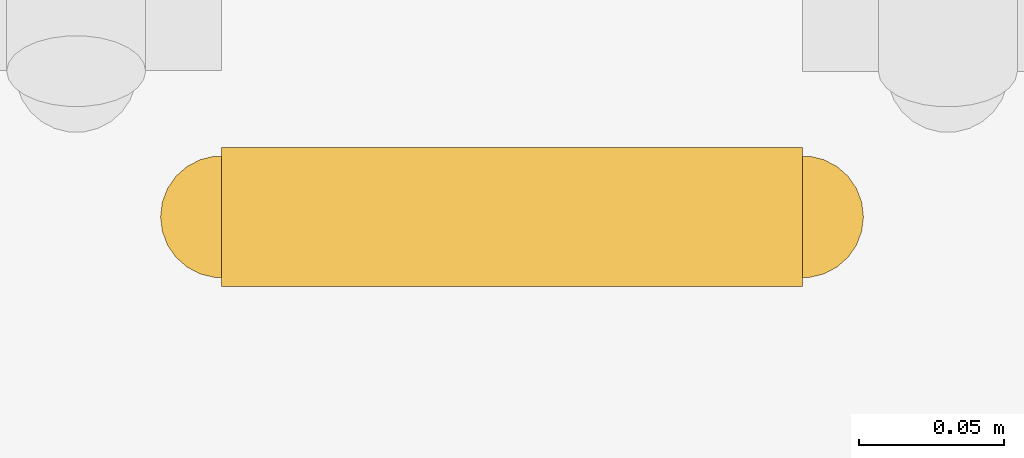
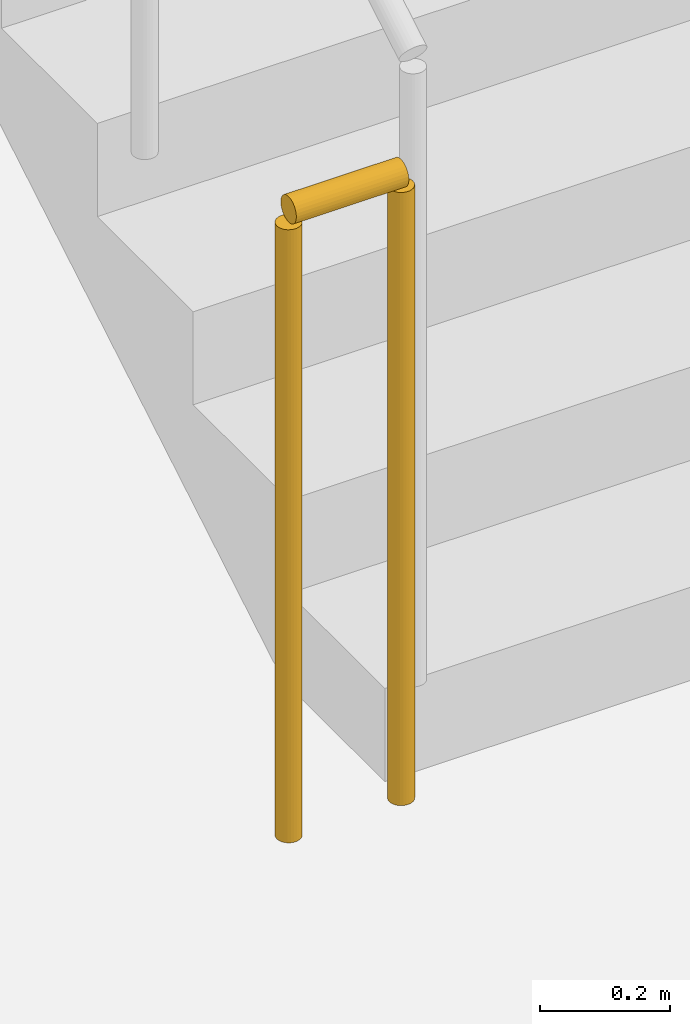
# One storey, part 30 of 33: 1 railing.
"""IFC4 building model written with IfcOpenShell, lengths in metres."""

from ifc_helpers import new_model, si_unit, direction, frame, origin, origin_2d, place, context, subcontext, project, spatial, circle, extrude, material, layer, layer_set, type_object, element, save


model = new_model("IFC4")

# Units and contexts
model_context = context("Model", 3, precision=1e-05, world=origin(), true_north=direction((0.0, 1.0)))
body_context = subcontext(model_context, "Body", "Model", "MODEL_VIEW")
ifc_project = project(units=[si_unit("LENGTHUNIT", "METRE"), si_unit("AREAUNIT", "SQUARE_METRE"), si_unit("VOLUMEUNIT", "CUBIC_METRE"), si_unit("PLANEANGLEUNIT", "RADIAN"), si_unit("MASSUNIT", "GRAM", prefix="KILO")], contexts=[model_context])

# Site, building, storey
site_placement = place(None, origin())
site = spatial("IfcSite", under=ifc_project, at=site_placement, CompositionType="ELEMENT")
building_placement = place(site_placement, origin())
building = spatial("IfcBuilding", under=site, at=building_placement, Name="Nordkorset Police Headquarters", CompositionType="ELEMENT")
storey_placement = place(building_placement, frame((0.0, 0.0, -9.800048828125)))
storey = spatial("IfcBuildingStorey", under=building, at=storey_placement, Name="B02", CompositionType="ELEMENT", Elevation=-9.800048828125)

# Railing
ifc_material = material(Name="Steel S355J2", Category="steel")
ifc_layer = layer(ifc_material, 0.050048828125, Name="Steel S355J2")
ifc_layer_set = layer_set([ifc_layer], Name="Steel S355J2")
railing_type = type_object("IfcRailingType", Name="Railing_StairGuard_1200", PredefinedType="GUARDRAIL", material=ifc_layer_set)
railing_placement = place(storey_placement, frame((107.675048828125, 90.77490234375, 0.0)))
element("IfcRailing", 1, at=railing_placement, inside=storey, type_object=railing_type, Name="B02 ST-05 stair guard 4", PredefinedType="GUARDRAIL", context=body_context, shape_type="SweptSolid", body=[
    extrude(circle(Radius=0.02392578125, at=origin_2d()), frame((0.0, 0.0, 1.17578125), z_axis=(-1.0, 0.0, 0.0), x_axis=(0.0, -1.0, 0.0)), (0.0, 0.0, 1.0), 0.199951171875),
    extrude(circle(Radius=0.02099609375, at=origin_2d()), origin(), (0.0, 0.0, 1.0), 1.15185546875),
    extrude(circle(Radius=0.02099609375, at=origin_2d()), frame((-0.199951171875, 0.0, 0.0)), (0.0, 0.0, 1.0), 1.15185546875),
])

save(model, "model.ifc")
